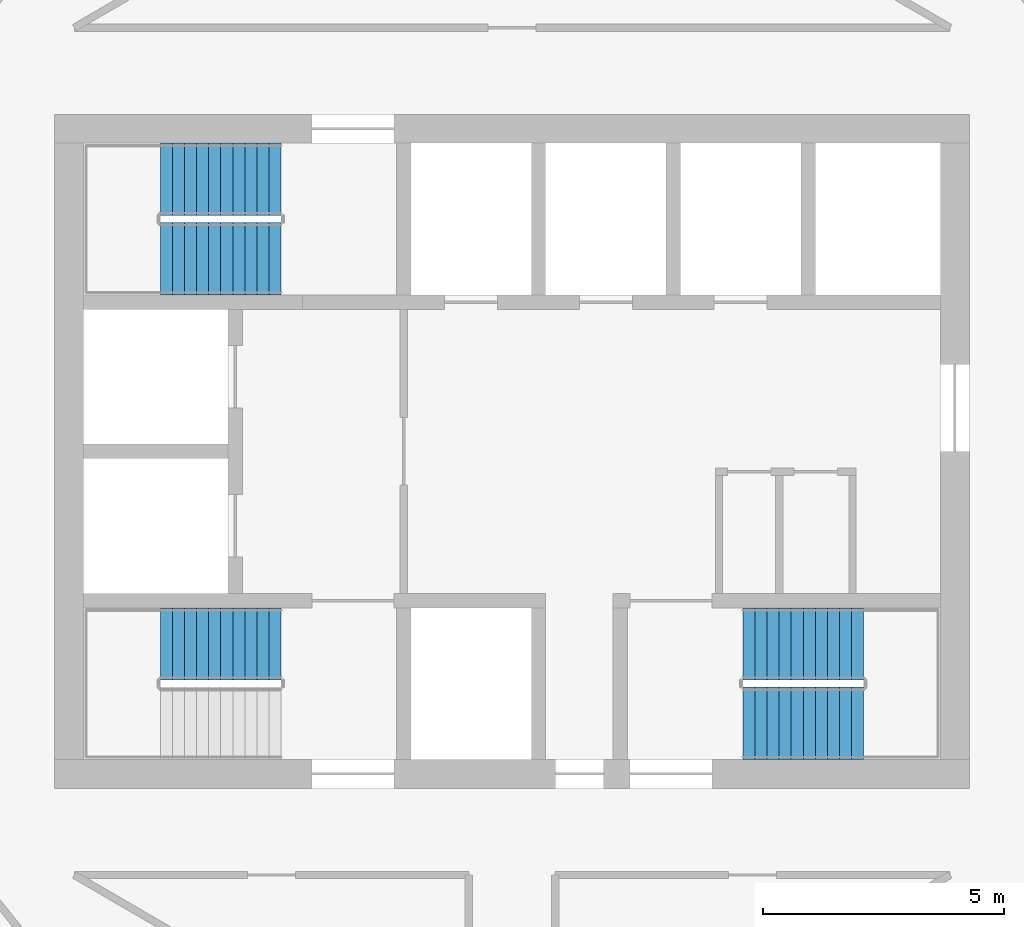
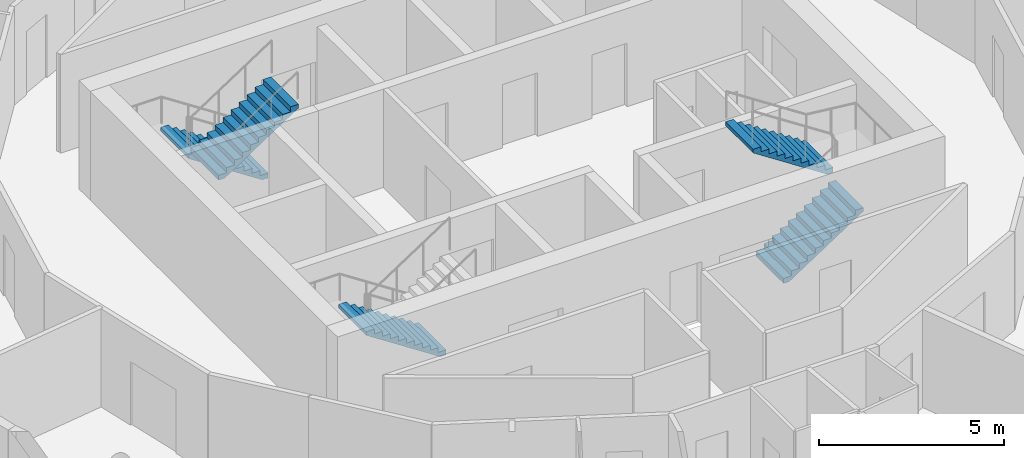
# One storey, part 12 of 13: 5 stair flights, 3 elements without a shape of their own.
"""IFC4 building model written with IfcOpenShell, lengths in metres."""

from ifc_helpers import new_model, si_unit, direction, frame, origin, place, context, subcontext, project, spatial, polyline, outline, extrude, material, type_object, element, aggregate, save


model = new_model("IFC4")

# Units and contexts
model_context = context("Model", 3, precision=1e-05, world=origin(), true_north=direction((0.0, 1.0)))
body_context = subcontext(model_context, "Body", "Model", "MODEL_VIEW")
ifc_project = project(units=[si_unit("LENGTHUNIT", "METRE"), si_unit("AREAUNIT", "SQUARE_METRE"), si_unit("VOLUMEUNIT", "CUBIC_METRE"), si_unit("PLANEANGLEUNIT", "RADIAN"), si_unit("MASSUNIT", "GRAM", prefix="KILO")], contexts=[model_context])

# Site, building, storey
site_placement = place(None, origin())
site = spatial("IfcSite", under=ifc_project, at=site_placement, CompositionType="ELEMENT")
building_placement = place(site_placement, origin())
building = spatial("IfcBuilding", under=site, at=building_placement, Name="Tracery Tower", CompositionType="ELEMENT")
storey_placement = place(building_placement, frame((0.0, 0.0, 316.199951171875)))
storey = spatial("IfcBuildingStorey", under=building, at=storey_placement, Name="L82", CompositionType="ELEMENT", Elevation=316.199951171875)

# Stair, stair flight
ifc_material_1 = material(Name="Concrete C32/40", Category="concrete")
stair_type = type_object("IfcStairType", Name="Core stair 22 risers", PredefinedType="HALF_TURN_STAIR", material=ifc_material_1)
stair_1_placement = place(storey_placement, origin())
stair_1 = element("IfcStair", 1, at=stair_1_placement, inside=storey, type_object=stair_type, Name="L82 stair ST1", PredefinedType="HALF_TURN_STAIR")
ifc_material_2 = material(Name="Concrete C32/40", Category="concrete")
stair_flight_type = type_object("IfcStairFlightType", Name="Core stair flight 11 risers", PredefinedType="STRAIGHT", material=ifc_material_2)
stair_flight_1_placement = place(storey_placement, frame((-4.800048828125, -4.0, 0.0), z_axis=(0.0, 0.0, 1.0), x_axis=(-1.0, 0.0, 0.0)))
stair_flight_1 = element("IfcStairFlight", 2, at=stair_flight_1_placement, type_object=stair_flight_type, Name="ST1 flight 1", NumberOfRisers=11, NumberOfTreads=10, PredefinedType="STRAIGHT", RiserHeight=0.163636364, TreadLength=0.25, context=body_context, shape_type="SweptSolid", body=[
    extrude(outline(polyline([(0.0, 0.0), (0.0, 0.002685546875), (0.0, 0.00537109375), (0.0, 0.008056640625), (0.0, 0.0107421875), (0.0, 0.013427734375), (0.0, 0.01611328125), (0.0, 0.018798828125), (0.0, 0.021484375), (0.0, 0.024169921875), (0.0, 0.02685546875), (0.0, 0.029541015625), (0.0, 0.0322265625), (0.0, 0.034912109375), (0.0, 0.03759765625), (0.0, 0.040283203125), (0.0, 0.04296875), (0.0, 0.045654296875), (0.0, 0.04833984375), (0.0, 0.051025390625), (0.0, 0.0537109375), (0.0, 0.056396484375), (0.0, 0.05908203125), (0.0, 0.061767578125), (0.0, 0.064453125), (0.0, 0.067138671875), (0.0, 0.06982421875), (0.0, 0.072509765625), (0.0, 0.0751953125), (0.0, 0.077880859375), (0.0, 0.08056640625), (0.0, 0.083251953125), (0.0, 0.0859375), (0.0, 0.088623046875), (0.0, 0.09130859375), (0.0, 0.093994140625), (0.0, 0.0966796875), (0.0, 0.099365234375), (0.0, 0.10205078125), (0.0, 0.104736328125), (0.0, 0.107421875), (0.0, 0.10986328125), (0.0, 0.112548828125), (0.0, 0.115234375), (0.0, 0.117919921875), (0.0, 0.12060546875), (0.0, 0.123291015625), (0.0, 0.1259765625), (0.0, 0.128662109375), (0.0, 0.13134765625), (0.0, 0.134033203125), (0.0, 0.13671875), (0.0, 0.139404296875), (0.0, 0.14208984375), (0.0, 0.144775390625), (0.0, 0.1474609375), (0.0, 0.150146484375), (0.0, 0.15283203125), (0.0, 0.155517578125), (0.0, 0.158203125), (0.0, 0.160888671875), (0.0, 0.16357421875), (0.25, 0.16357421875), (0.25, 0.327392578125), (0.5, 0.327392578125), (0.5, 0.490966796875), (0.75, 0.490966796875), (0.75, 0.654541015625), (1.0, 0.654541015625), (1.0, 0.818115234375), (1.25, 0.818115234375), (1.25, 0.98193359375), (1.5, 0.98193359375), (1.5, 1.1455078125), (1.75, 1.1455078125), (1.75, 1.30908203125), (2.0, 1.30908203125), (2.0, 1.47265625), (2.25, 1.47265625), (2.25, 1.636474609375), (2.5, 1.636474609375), (2.5, 1.634521484375), (2.5, 1.63232421875), (2.5, 1.63037109375), (2.5, 1.62841796875), (2.5, 1.62646484375), (2.5, 1.62451171875), (2.5, 1.62255859375), (2.5, 1.62060546875), (2.5, 1.61865234375), (2.5, 1.61669921875), (2.5, 1.61474609375), (2.5, 1.61279296875), (2.5, 1.61083984375), (2.5, 1.60888671875), (2.5, 1.60693359375), (2.5, 1.60498046875), (2.5, 1.60302734375), (2.5, 1.60107421875), (2.5, 1.59912109375), (2.5, 1.59716796875), (2.5, 1.59521484375), (2.5, 1.59326171875), (2.5, 1.59130859375), (2.5, 1.58935546875), (2.5, 1.58740234375), (2.5, 1.58544921875), (2.5, 1.58349609375), (2.5, 1.58154296875), (2.5, 1.57958984375), (2.5, 1.57763671875), (2.5, 1.57568359375), (2.5, 1.573486328125), (2.5, 1.571533203125), (2.5, 1.569580078125), (2.5, 1.567626953125), (2.5, 1.565673828125), (2.5, 1.563720703125), (2.5, 1.561767578125), (2.5, 1.559814453125), (2.5, 1.557861328125), (2.5, 1.555908203125), (2.5, 1.553955078125), (2.5, 1.552001953125), (2.5, 1.550048828125), (2.5, 1.548095703125), (2.5, 1.546142578125), (2.5, 1.544189453125), (2.5, 1.542236328125), (2.5, 1.540283203125), (2.5, 1.538330078125), (2.5, 1.536376953125), (2.5, 1.534423828125), (2.5, 1.532470703125), (2.5, 1.530517578125), (2.5, 1.528564453125), (2.5, 1.526611328125), (2.5, 1.524658203125), (2.5, 1.522705078125), (2.5, 1.520751953125), (2.5, 1.518798828125), (2.5, 1.516845703125), (0.182861328125, 0.0), (0.0, 0.0)])), frame((0.0, 0.75, 0.0), z_axis=(0.0, -1.0, 0.0), x_axis=(1.0, 0.0, 0.0)), (0.0, 0.0, 1.0), 1.5),
])
aggregate(stair_1, [stair_flight_1])

# Stair, stair flights
stair_2_placement = place(storey_placement, origin())
stair_2 = element("IfcStair", 3, at=stair_2_placement, inside=storey, type_object=stair_type, Name="L82 stair ST3", PredefinedType="HALF_TURN_STAIR")
stair_flight_2_placement = place(storey_placement, frame((-4.800048828125, 5.64990234375, 0.0), z_axis=(0.0, 0.0, 1.0), x_axis=(-1.0, 0.0, 0.0)))
stair_flight_2 = element("IfcStairFlight", 4, at=stair_flight_2_placement, type_object=stair_flight_type, Name="ST3 flight 1", NumberOfRisers=11, NumberOfTreads=10, PredefinedType="STRAIGHT", RiserHeight=0.163636364, TreadLength=0.25, context=body_context, shape_type="SweptSolid", body=[
    extrude(outline(polyline([(0.0, 0.0), (0.0, 0.002685546875), (0.0, 0.00537109375), (0.0, 0.008056640625), (0.0, 0.0107421875), (0.0, 0.013427734375), (0.0, 0.01611328125), (0.0, 0.018798828125), (0.0, 0.021484375), (0.0, 0.024169921875), (0.0, 0.02685546875), (0.0, 0.029541015625), (0.0, 0.0322265625), (0.0, 0.034912109375), (0.0, 0.03759765625), (0.0, 0.040283203125), (0.0, 0.04296875), (0.0, 0.045654296875), (0.0, 0.04833984375), (0.0, 0.051025390625), (0.0, 0.0537109375), (0.0, 0.056396484375), (0.0, 0.05908203125), (0.0, 0.061767578125), (0.0, 0.064453125), (0.0, 0.067138671875), (0.0, 0.06982421875), (0.0, 0.072509765625), (0.0, 0.0751953125), (0.0, 0.077880859375), (0.0, 0.08056640625), (0.0, 0.083251953125), (0.0, 0.0859375), (0.0, 0.088623046875), (0.0, 0.09130859375), (0.0, 0.093994140625), (0.0, 0.0966796875), (0.0, 0.099365234375), (0.0, 0.10205078125), (0.0, 0.104736328125), (0.0, 0.107421875), (0.0, 0.10986328125), (0.0, 0.112548828125), (0.0, 0.115234375), (0.0, 0.117919921875), (0.0, 0.12060546875), (0.0, 0.123291015625), (0.0, 0.1259765625), (0.0, 0.128662109375), (0.0, 0.13134765625), (0.0, 0.134033203125), (0.0, 0.13671875), (0.0, 0.139404296875), (0.0, 0.14208984375), (0.0, 0.144775390625), (0.0, 0.1474609375), (0.0, 0.150146484375), (0.0, 0.15283203125), (0.0, 0.155517578125), (0.0, 0.158203125), (0.0, 0.160888671875), (0.0, 0.16357421875), (0.25, 0.16357421875), (0.25, 0.327392578125), (0.5, 0.327392578125), (0.5, 0.490966796875), (0.75, 0.490966796875), (0.75, 0.654541015625), (1.0, 0.654541015625), (1.0, 0.818115234375), (1.25, 0.818115234375), (1.25, 0.98193359375), (1.5, 0.98193359375), (1.5, 1.1455078125), (1.75, 1.1455078125), (1.75, 1.30908203125), (2.0, 1.30908203125), (2.0, 1.47265625), (2.25, 1.47265625), (2.25, 1.636474609375), (2.5, 1.636474609375), (2.5, 1.634521484375), (2.5, 1.63232421875), (2.5, 1.63037109375), (2.5, 1.62841796875), (2.5, 1.62646484375), (2.5, 1.62451171875), (2.5, 1.62255859375), (2.5, 1.62060546875), (2.5, 1.61865234375), (2.5, 1.61669921875), (2.5, 1.61474609375), (2.5, 1.61279296875), (2.5, 1.61083984375), (2.5, 1.60888671875), (2.5, 1.60693359375), (2.5, 1.60498046875), (2.5, 1.60302734375), (2.5, 1.60107421875), (2.5, 1.59912109375), (2.5, 1.59716796875), (2.5, 1.59521484375), (2.5, 1.59326171875), (2.5, 1.59130859375), (2.5, 1.58935546875), (2.5, 1.58740234375), (2.5, 1.58544921875), (2.5, 1.58349609375), (2.5, 1.58154296875), (2.5, 1.57958984375), (2.5, 1.57763671875), (2.5, 1.57568359375), (2.5, 1.573486328125), (2.5, 1.571533203125), (2.5, 1.569580078125), (2.5, 1.567626953125), (2.5, 1.565673828125), (2.5, 1.563720703125), (2.5, 1.561767578125), (2.5, 1.559814453125), (2.5, 1.557861328125), (2.5, 1.555908203125), (2.5, 1.553955078125), (2.5, 1.552001953125), (2.5, 1.550048828125), (2.5, 1.548095703125), (2.5, 1.546142578125), (2.5, 1.544189453125), (2.5, 1.542236328125), (2.5, 1.540283203125), (2.5, 1.538330078125), (2.5, 1.536376953125), (2.5, 1.534423828125), (2.5, 1.532470703125), (2.5, 1.530517578125), (2.5, 1.528564453125), (2.5, 1.526611328125), (2.5, 1.524658203125), (2.5, 1.522705078125), (2.5, 1.520751953125), (2.5, 1.518798828125), (2.5, 1.516845703125), (0.182861328125, 0.0), (0.0, 0.0)])), frame((0.0, 0.75, 0.0), z_axis=(0.0, -1.0, 0.0), x_axis=(1.0, 0.0, 0.0)), (0.0, 0.0, 1.0), 1.5),
])
stair_flight_3_placement = place(storey_placement, frame((-7.300048828125, 4.0, 1.800048828125), z_axis=(0.0, 0.0, 1.0), x_axis=(1.0, 0.0, 0.0)))
stair_flight_3 = element("IfcStairFlight", 5, at=stair_flight_3_placement, type_object=stair_flight_type, Name="ST3 flight 2", NumberOfRisers=11, NumberOfTreads=10, PredefinedType="STRAIGHT", RiserHeight=0.163636364, TreadLength=0.25, context=body_context, shape_type="SweptSolid", body=[
    extrude(outline(polyline([(0.0, 0.0), (0.0, 0.002685546875), (0.0, 0.00537109375), (0.0, 0.008056640625), (0.0, 0.0107421875), (0.0, 0.013427734375), (0.0, 0.01611328125), (0.0, 0.018798828125), (0.0, 0.021484375), (0.0, 0.024169921875), (0.0, 0.02685546875), (0.0, 0.029541015625), (0.0, 0.0322265625), (0.0, 0.034912109375), (0.0, 0.03759765625), (0.0, 0.040283203125), (0.0, 0.04296875), (0.0, 0.045654296875), (0.0, 0.04833984375), (0.0, 0.051025390625), (0.0, 0.0537109375), (0.0, 0.056396484375), (0.0, 0.05908203125), (0.0, 0.061767578125), (0.0, 0.064453125), (0.0, 0.067138671875), (0.0, 0.06982421875), (0.0, 0.072509765625), (0.0, 0.0751953125), (0.0, 0.077880859375), (0.0, 0.08056640625), (0.0, 0.083251953125), (0.0, 0.0859375), (0.0, 0.088623046875), (0.0, 0.09130859375), (0.0, 0.093994140625), (0.0, 0.0966796875), (0.0, 0.099365234375), (0.0, 0.10205078125), (0.0, 0.104736328125), (0.0, 0.107421875), (0.0, 0.10986328125), (0.0, 0.112548828125), (0.0, 0.115234375), (0.0, 0.117919921875), (0.0, 0.12060546875), (0.0, 0.123291015625), (0.0, 0.1259765625), (0.0, 0.128662109375), (0.0, 0.13134765625), (0.0, 0.134033203125), (0.0, 0.13671875), (0.0, 0.139404296875), (0.0, 0.14208984375), (0.0, 0.144775390625), (0.0, 0.1474609375), (0.0, 0.150146484375), (0.0, 0.15283203125), (0.0, 0.155517578125), (0.0, 0.158203125), (0.0, 0.160888671875), (0.0, 0.16357421875), (0.25, 0.16357421875), (0.25, 0.327392578125), (0.5, 0.327392578125), (0.5, 0.490966796875), (0.75, 0.490966796875), (0.75, 0.654541015625), (1.0, 0.654541015625), (1.0, 0.818115234375), (1.25, 0.818115234375), (1.25, 0.98193359375), (1.5, 0.98193359375), (1.5, 1.1455078125), (1.75, 1.1455078125), (1.75, 1.30908203125), (2.0, 1.30908203125), (2.0, 1.47265625), (2.25, 1.47265625), (2.25, 1.636474609375), (2.5, 1.636474609375), (2.5, 1.634521484375), (2.5, 1.63232421875), (2.5, 1.63037109375), (2.5, 1.62841796875), (2.5, 1.62646484375), (2.5, 1.62451171875), (2.5, 1.62255859375), (2.5, 1.62060546875), (2.5, 1.61865234375), (2.5, 1.61669921875), (2.5, 1.61474609375), (2.5, 1.61279296875), (2.5, 1.61083984375), (2.5, 1.60888671875), (2.5, 1.60693359375), (2.5, 1.60498046875), (2.5, 1.60302734375), (2.5, 1.60107421875), (2.5, 1.59912109375), (2.5, 1.59716796875), (2.5, 1.59521484375), (2.5, 1.59326171875), (2.5, 1.59130859375), (2.5, 1.58935546875), (2.5, 1.58740234375), (2.5, 1.58544921875), (2.5, 1.58349609375), (2.5, 1.58154296875), (2.5, 1.57958984375), (2.5, 1.57763671875), (2.5, 1.57568359375), (2.5, 1.573486328125), (2.5, 1.571533203125), (2.5, 1.569580078125), (2.5, 1.567626953125), (2.5, 1.565673828125), (2.5, 1.563720703125), (2.5, 1.561767578125), (2.5, 1.559814453125), (2.5, 1.557861328125), (2.5, 1.555908203125), (2.5, 1.553955078125), (2.5, 1.552001953125), (2.5, 1.550048828125), (2.5, 1.548095703125), (2.5, 1.546142578125), (2.5, 1.544189453125), (2.5, 1.542236328125), (2.5, 1.540283203125), (2.5, 1.538330078125), (2.5, 1.536376953125), (2.5, 1.534423828125), (2.5, 1.532470703125), (2.5, 1.530517578125), (2.5, 1.528564453125), (2.5, 1.526611328125), (2.5, 1.524658203125), (2.5, 1.522705078125), (2.5, 1.520751953125), (2.5, 1.518798828125), (2.5, 1.516845703125), (0.182861328125, 0.0), (0.0, 0.0)])), frame((0.0, 0.75, 0.0), z_axis=(0.0, -1.0, 0.0), x_axis=(1.0, 0.0, 0.0)), (0.0, 0.0, 1.0), 1.5),
])
aggregate(stair_2, [stair_flight_2, stair_flight_3])

stair_3_placement = place(storey_placement, origin())
stair_3 = element("IfcStair", 6, at=stair_3_placement, inside=storey, type_object=stair_type, Name="L82 stair ST2", PredefinedType="HALF_TURN_STAIR")
stair_flight_4_placement = place(storey_placement, frame((4.800048828125, -5.64990234375, 0.0), z_axis=(0.0, 0.0, 1.0), x_axis=(1.0, 0.0, 0.0)))
stair_flight_4 = element("IfcStairFlight", 7, at=stair_flight_4_placement, type_object=stair_flight_type, Name="ST2 flight 1", NumberOfRisers=11, NumberOfTreads=10, PredefinedType="STRAIGHT", RiserHeight=0.163636364, TreadLength=0.25, context=body_context, shape_type="SweptSolid", body=[
    extrude(outline(polyline([(0.0, 0.0), (0.0, 0.002685546875), (0.0, 0.00537109375), (0.0, 0.008056640625), (0.0, 0.0107421875), (0.0, 0.013427734375), (0.0, 0.01611328125), (0.0, 0.018798828125), (0.0, 0.021484375), (0.0, 0.024169921875), (0.0, 0.02685546875), (0.0, 0.029541015625), (0.0, 0.0322265625), (0.0, 0.034912109375), (0.0, 0.03759765625), (0.0, 0.040283203125), (0.0, 0.04296875), (0.0, 0.045654296875), (0.0, 0.04833984375), (0.0, 0.051025390625), (0.0, 0.0537109375), (0.0, 0.056396484375), (0.0, 0.05908203125), (0.0, 0.061767578125), (0.0, 0.064453125), (0.0, 0.067138671875), (0.0, 0.06982421875), (0.0, 0.072509765625), (0.0, 0.0751953125), (0.0, 0.077880859375), (0.0, 0.08056640625), (0.0, 0.083251953125), (0.0, 0.0859375), (0.0, 0.088623046875), (0.0, 0.09130859375), (0.0, 0.093994140625), (0.0, 0.0966796875), (0.0, 0.099365234375), (0.0, 0.10205078125), (0.0, 0.104736328125), (0.0, 0.107421875), (0.0, 0.10986328125), (0.0, 0.112548828125), (0.0, 0.115234375), (0.0, 0.117919921875), (0.0, 0.12060546875), (0.0, 0.123291015625), (0.0, 0.1259765625), (0.0, 0.128662109375), (0.0, 0.13134765625), (0.0, 0.134033203125), (0.0, 0.13671875), (0.0, 0.139404296875), (0.0, 0.14208984375), (0.0, 0.144775390625), (0.0, 0.1474609375), (0.0, 0.150146484375), (0.0, 0.15283203125), (0.0, 0.155517578125), (0.0, 0.158203125), (0.0, 0.160888671875), (0.0, 0.16357421875), (0.25, 0.16357421875), (0.25, 0.327392578125), (0.5, 0.327392578125), (0.5, 0.490966796875), (0.75, 0.490966796875), (0.75, 0.654541015625), (1.0, 0.654541015625), (1.0, 0.818115234375), (1.25, 0.818115234375), (1.25, 0.98193359375), (1.5, 0.98193359375), (1.5, 1.1455078125), (1.75, 1.1455078125), (1.75, 1.30908203125), (2.0, 1.30908203125), (2.0, 1.47265625), (2.25, 1.47265625), (2.25, 1.636474609375), (2.5, 1.636474609375), (2.5, 1.634521484375), (2.5, 1.63232421875), (2.5, 1.63037109375), (2.5, 1.62841796875), (2.5, 1.62646484375), (2.5, 1.62451171875), (2.5, 1.62255859375), (2.5, 1.62060546875), (2.5, 1.61865234375), (2.5, 1.61669921875), (2.5, 1.61474609375), (2.5, 1.61279296875), (2.5, 1.61083984375), (2.5, 1.60888671875), (2.5, 1.60693359375), (2.5, 1.60498046875), (2.5, 1.60302734375), (2.5, 1.60107421875), (2.5, 1.59912109375), (2.5, 1.59716796875), (2.5, 1.59521484375), (2.5, 1.59326171875), (2.5, 1.59130859375), (2.5, 1.58935546875), (2.5, 1.58740234375), (2.5, 1.58544921875), (2.5, 1.58349609375), (2.5, 1.58154296875), (2.5, 1.57958984375), (2.5, 1.57763671875), (2.5, 1.57568359375), (2.5, 1.573486328125), (2.5, 1.571533203125), (2.5, 1.569580078125), (2.5, 1.567626953125), (2.5, 1.565673828125), (2.5, 1.563720703125), (2.5, 1.561767578125), (2.5, 1.559814453125), (2.5, 1.557861328125), (2.5, 1.555908203125), (2.5, 1.553955078125), (2.5, 1.552001953125), (2.5, 1.550048828125), (2.5, 1.548095703125), (2.5, 1.546142578125), (2.5, 1.544189453125), (2.5, 1.542236328125), (2.5, 1.540283203125), (2.5, 1.538330078125), (2.5, 1.536376953125), (2.5, 1.534423828125), (2.5, 1.532470703125), (2.5, 1.530517578125), (2.5, 1.528564453125), (2.5, 1.526611328125), (2.5, 1.524658203125), (2.5, 1.522705078125), (2.5, 1.520751953125), (2.5, 1.518798828125), (2.5, 1.516845703125), (0.182861328125, 0.0), (0.0, 0.0)])), frame((0.0, 0.75, 0.0), z_axis=(0.0, -1.0, 0.0), x_axis=(1.0, 0.0, 0.0)), (0.0, 0.0, 1.0), 1.5),
])
stair_flight_5_placement = place(storey_placement, frame((7.300048828125, -4.0, 1.800048828125), z_axis=(0.0, 0.0, 1.0), x_axis=(-1.0, 0.0, 0.0)))
stair_flight_5 = element("IfcStairFlight", 8, at=stair_flight_5_placement, type_object=stair_flight_type, Name="ST2 flight 2", NumberOfRisers=11, NumberOfTreads=10, PredefinedType="STRAIGHT", RiserHeight=0.163636364, TreadLength=0.25, context=body_context, shape_type="SweptSolid", body=[
    extrude(outline(polyline([(0.0, 0.0), (0.0, 0.002685546875), (0.0, 0.00537109375), (0.0, 0.008056640625), (0.0, 0.0107421875), (0.0, 0.013427734375), (0.0, 0.01611328125), (0.0, 0.018798828125), (0.0, 0.021484375), (0.0, 0.024169921875), (0.0, 0.02685546875), (0.0, 0.029541015625), (0.0, 0.0322265625), (0.0, 0.034912109375), (0.0, 0.03759765625), (0.0, 0.040283203125), (0.0, 0.04296875), (0.0, 0.045654296875), (0.0, 0.04833984375), (0.0, 0.051025390625), (0.0, 0.0537109375), (0.0, 0.056396484375), (0.0, 0.05908203125), (0.0, 0.061767578125), (0.0, 0.064453125), (0.0, 0.067138671875), (0.0, 0.06982421875), (0.0, 0.072509765625), (0.0, 0.0751953125), (0.0, 0.077880859375), (0.0, 0.08056640625), (0.0, 0.083251953125), (0.0, 0.0859375), (0.0, 0.088623046875), (0.0, 0.09130859375), (0.0, 0.093994140625), (0.0, 0.0966796875), (0.0, 0.099365234375), (0.0, 0.10205078125), (0.0, 0.104736328125), (0.0, 0.107421875), (0.0, 0.10986328125), (0.0, 0.112548828125), (0.0, 0.115234375), (0.0, 0.117919921875), (0.0, 0.12060546875), (0.0, 0.123291015625), (0.0, 0.1259765625), (0.0, 0.128662109375), (0.0, 0.13134765625), (0.0, 0.134033203125), (0.0, 0.13671875), (0.0, 0.139404296875), (0.0, 0.14208984375), (0.0, 0.144775390625), (0.0, 0.1474609375), (0.0, 0.150146484375), (0.0, 0.15283203125), (0.0, 0.155517578125), (0.0, 0.158203125), (0.0, 0.160888671875), (0.0, 0.16357421875), (0.25, 0.16357421875), (0.25, 0.327392578125), (0.5, 0.327392578125), (0.5, 0.490966796875), (0.75, 0.490966796875), (0.75, 0.654541015625), (1.0, 0.654541015625), (1.0, 0.818115234375), (1.25, 0.818115234375), (1.25, 0.98193359375), (1.5, 0.98193359375), (1.5, 1.1455078125), (1.75, 1.1455078125), (1.75, 1.30908203125), (2.0, 1.30908203125), (2.0, 1.47265625), (2.25, 1.47265625), (2.25, 1.636474609375), (2.5, 1.636474609375), (2.5, 1.634521484375), (2.5, 1.63232421875), (2.5, 1.63037109375), (2.5, 1.62841796875), (2.5, 1.62646484375), (2.5, 1.62451171875), (2.5, 1.62255859375), (2.5, 1.62060546875), (2.5, 1.61865234375), (2.5, 1.61669921875), (2.5, 1.61474609375), (2.5, 1.61279296875), (2.5, 1.61083984375), (2.5, 1.60888671875), (2.5, 1.60693359375), (2.5, 1.60498046875), (2.5, 1.60302734375), (2.5, 1.60107421875), (2.5, 1.59912109375), (2.5, 1.59716796875), (2.5, 1.59521484375), (2.5, 1.59326171875), (2.5, 1.59130859375), (2.5, 1.58935546875), (2.5, 1.58740234375), (2.5, 1.58544921875), (2.5, 1.58349609375), (2.5, 1.58154296875), (2.5, 1.57958984375), (2.5, 1.57763671875), (2.5, 1.57568359375), (2.5, 1.573486328125), (2.5, 1.571533203125), (2.5, 1.569580078125), (2.5, 1.567626953125), (2.5, 1.565673828125), (2.5, 1.563720703125), (2.5, 1.561767578125), (2.5, 1.559814453125), (2.5, 1.557861328125), (2.5, 1.555908203125), (2.5, 1.553955078125), (2.5, 1.552001953125), (2.5, 1.550048828125), (2.5, 1.548095703125), (2.5, 1.546142578125), (2.5, 1.544189453125), (2.5, 1.542236328125), (2.5, 1.540283203125), (2.5, 1.538330078125), (2.5, 1.536376953125), (2.5, 1.534423828125), (2.5, 1.532470703125), (2.5, 1.530517578125), (2.5, 1.528564453125), (2.5, 1.526611328125), (2.5, 1.524658203125), (2.5, 1.522705078125), (2.5, 1.520751953125), (2.5, 1.518798828125), (2.5, 1.516845703125), (0.182861328125, 0.0), (0.0, 0.0)])), frame((0.0, 0.75, 0.0), z_axis=(0.0, -1.0, 0.0), x_axis=(1.0, 0.0, 0.0)), (0.0, 0.0, 1.0), 1.5),
])
aggregate(stair_3, [stair_flight_4, stair_flight_5])

save(model, "model.ifc")
